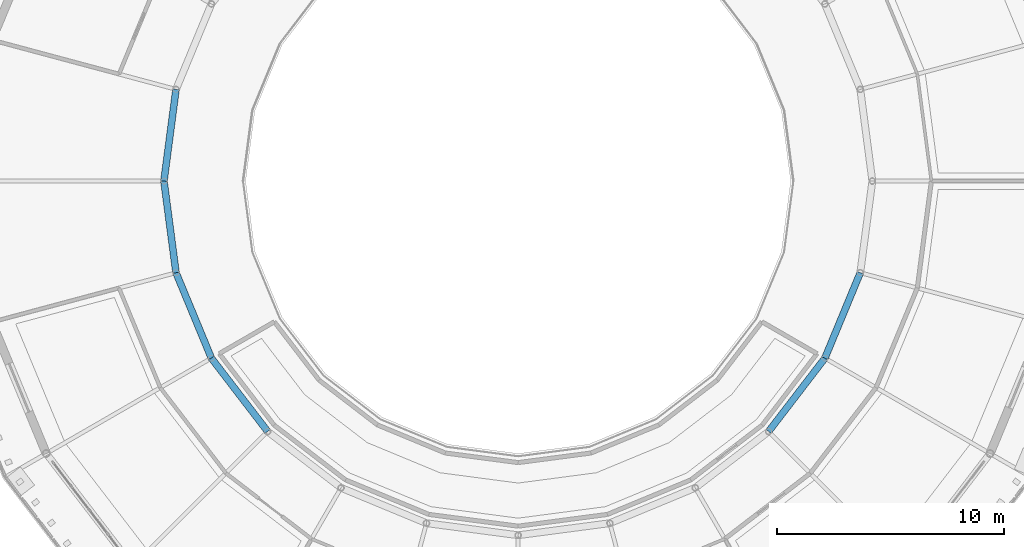
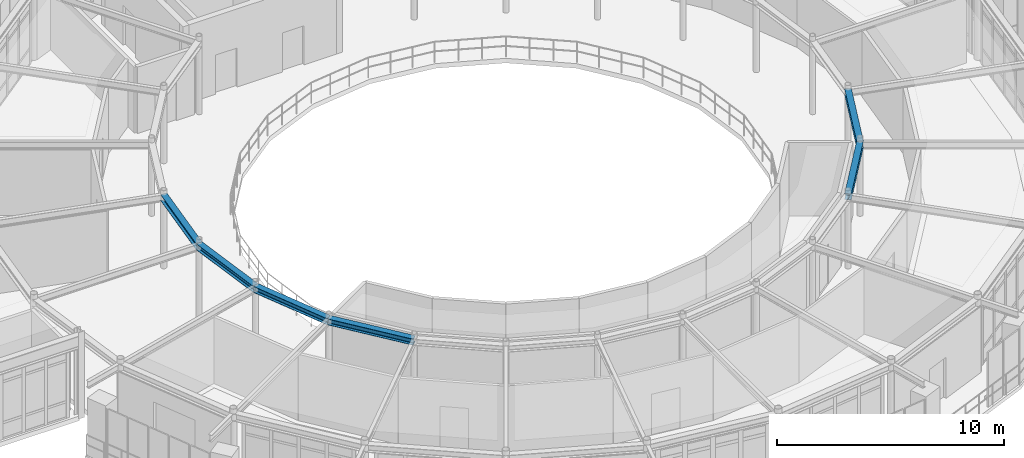
# One storey, part 35 of 90: 6 beams.
"""IFC4 building model written with IfcOpenShell, lengths in metres."""

from ifc_helpers import new_model, si_unit, derived_unit, direction, frame, origin, origin_2d, place, context, subcontext, project, spatial, i_section, extrude, material, material_profile, profile_set, type_object, element, save


model = new_model("IFC4")

# Units and contexts
model_context = context("Model", 3, precision=1e-05, world=origin(), true_north=direction((0.0, 1.0)))
body_context = subcontext(model_context, "Body", "Model", "MODEL_VIEW")
ifc_project = project(units=[si_unit("LENGTHUNIT", "METRE"), si_unit("AREAUNIT", "SQUARE_METRE"), si_unit("VOLUMEUNIT", "CUBIC_METRE"), si_unit("PLANEANGLEUNIT", "RADIAN"), si_unit("MASSUNIT", "GRAM", prefix="KILO"), derived_unit("THERMALTRANSMITTANCEUNIT", [(si_unit("POWERUNIT", "WATT"), 1), (si_unit("AREAUNIT", "SQUARE_METRE"), -1), (si_unit("THERMODYNAMICTEMPERATUREUNIT", "KELVIN"), -1)])], contexts=[model_context])

# Site, building, storey
site_placement = place(None, origin())
site = spatial("IfcSite", under=ifc_project, at=site_placement, CompositionType="ELEMENT")
building_placement = place(site_placement, origin())
building = spatial("IfcBuilding", under=site, at=building_placement, Name="Yasenodar Specialist Clinic", CompositionType="ELEMENT")
storey_placement = place(building_placement, frame((0.0, 0.0, 9.0)))
storey = spatial("IfcBuildingStorey", under=building, at=storey_placement, Name="L02", CompositionType="ELEMENT", Elevation=9.0)

# Beams
ifc_material = material(Name="Steel S355", Category="steel")
ifc_material_profile = material_profile(ifc_material, i_section(OverallWidth=0.300048828125, OverallDepth=0.330078125, WebThickness=0.009521484375, FlangeThickness=0.0166015625, FilletRadius=0.027099609375, at=origin_2d()), Name="HEA 340")
ifc_profile_set = profile_set([ifc_material_profile], Name="Steel S355")
beam_type = type_object("IfcBeamType", Name="BM-HEA340", PredefinedType="BEAM", material=ifc_profile_set)
for number, where, z_axis, x_axis, name in (
    (1, (65.931640625, 62.837646484375, 3.784912109375), (-0.130569268018, -0.991439189385, 0.0), (0.991439189385, -0.130569268018, 0.0), "L02 Drum V1 Inner Ring Beam"),
    (2, (65.39990234375, 58.800048828125, 3.784912109375), (0.130569268018, -0.991439189385, 0.0), (0.991439189385, 0.130569268018, 0.0), "L02 Drum V1 Inner Ring Beam"),
    (3, (65.931640625, 54.762451171875, 3.784912109375), (0.382660650645, -0.92388896868, 0.0), (0.92388896868, 0.382660650645, 0.0), "L02 Drum V1 Inner Ring Beam"),
    (4, (67.489990234375, 51.0, 3.784912109375), (0.608731039936, -0.793376657722, 0.0), (0.793376657722, 0.608731039936, 0.0), "L02 Drum V1 Inner Ring Beam"),
    (5, (92.031005859375, 47.76904296875, 3.784912109375), (0.608731039936, 0.793376657722, 0.0), (-0.793376657722, 0.608731039936, 0.0), "L02 Drum V1 Inner Ring Beam"),
    (6, (94.510009765625, 51.0, 3.784912109375), (0.382660650645, 0.92388896868, 0.0), (-0.92388896868, 0.382660650645, 0.0), "L02 Drum V1 Inner Ring Beam"),
):
    element("IfcBeam", number, at=place(storey_placement, frame(where, z_axis=z_axis, x_axis=x_axis)), inside=storey, type_object=beam_type, Name=name, PredefinedType="BEAM", context=body_context, shape_type="SweptSolid", body=[
        extrude(i_section(OverallWidth=0.300048828125, OverallDepth=0.330078125, WebThickness=0.009521484375, FlangeThickness=0.0166015625, FilletRadius=0.027099609375, at=origin_2d()), origin(), (0.0, 0.0, 1.0), 4.072509765625),
    ])

save(model, "model.ifc")
